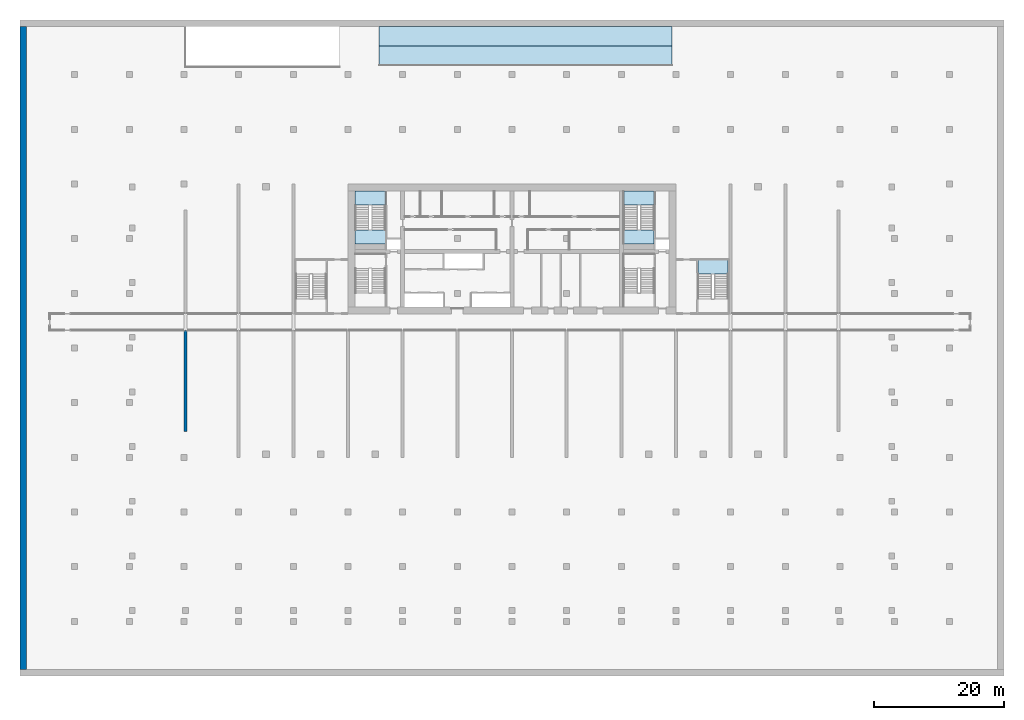
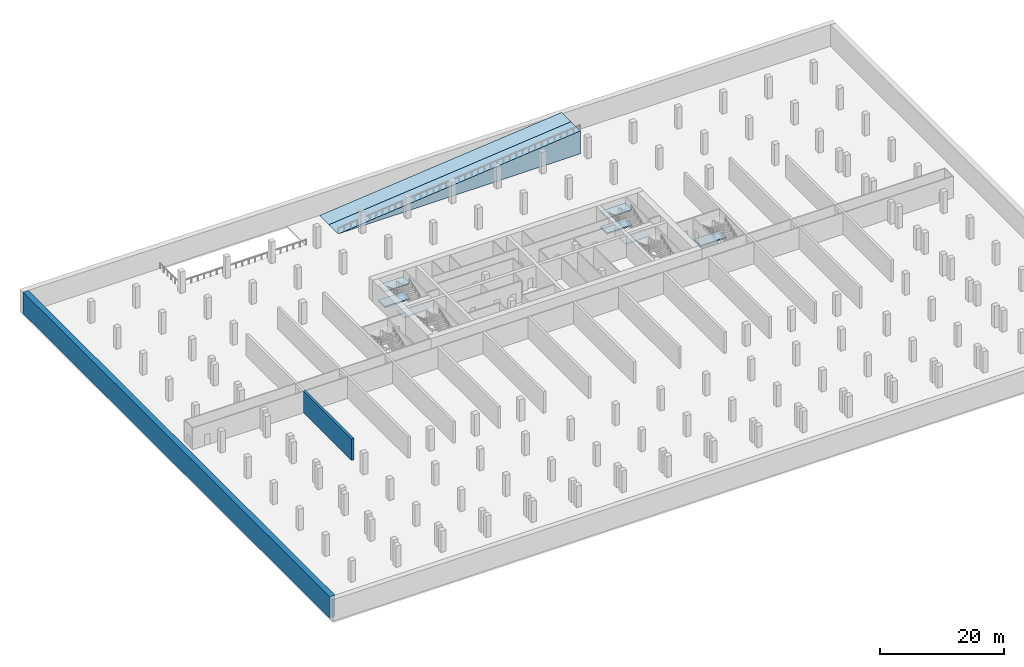
# One storey, part 2 of 13: 9 slabs, 2 walls, 2 elements without a shape of their own.
"""IFC4 building model written with IfcOpenShell, lengths in metres."""

from ifc_helpers import new_model, si_unit, direction, frame, frame_2d, origin, place, context, subcontext, project, spatial, polyline, rectangle, outline, extrude, source, transform, mapped, material, layer, layer_set, type_object, element, aggregate, save


model = new_model("IFC4")

# Units and contexts
model_context = context("Model", 3, precision=1e-05, world=origin(), true_north=direction((0.0, 1.0)))
body_context = subcontext(model_context, "Body", "Model", "MODEL_VIEW")
ifc_project = project(units=[si_unit("LENGTHUNIT", "METRE"), si_unit("AREAUNIT", "SQUARE_METRE"), si_unit("VOLUMEUNIT", "CUBIC_METRE"), si_unit("PLANEANGLEUNIT", "RADIAN"), si_unit("MASSUNIT", "GRAM", prefix="KILO")], contexts=[model_context])

# Site, building, storey
site_placement = place(None, origin())
site = spatial("IfcSite", under=ifc_project, at=site_placement, CompositionType="ELEMENT")
building_placement = place(site_placement, origin())
building = spatial("IfcBuilding", under=site, at=building_placement, Name="Vanashikhar Sky Hotel", CompositionType="ELEMENT")
storey_placement = place(building_placement, frame((0.0, 0.0, -9.0)))
storey = spatial("IfcBuildingStorey", under=building, at=storey_placement, Name="B2", CompositionType="ELEMENT", Elevation=-9.0)

# Slab
ifc_material_1 = material(Name="Concrete M40", Category="concrete")
ifc_layer_1 = layer(ifc_material_1, 0.280029296875)
ifc_layer_set_1 = layer_set([ifc_layer_1], Name="Stair floor landing 280")
slab_type_1 = type_object("IfcSlabType", Name="Stair floor landing 280", PredefinedType="LANDING", material=ifc_layer_set_1)
shared_shape_1 = source(origin(), body_context, "Body", "SweptSolid", [
    extrude(outline(polyline([(83.60009765625, 28.14990234375), (83.60009765625, 30.300048828125), (78.949951171875, 30.300048828125), (78.949951171875, 28.14990234375), (83.60009765625, 28.14990234375)])), origin(), (0.0, 0.0, 1.0), 0.280029296875),
])
slab_1_placement = place(storey_placement, frame((0.0, 0.0, -0.280029296875)))
element("IfcSlab", 1, at=slab_1_placement, inside=storey, type_object=slab_type_1, Name="Exit stair 4 floor landing", PredefinedType="LANDING", context=body_context, shape_type="MappedRepresentation", body=[
    mapped(shared_shape_1, transform((0.0, 0.0, 0.0), scale=1.0)),
])

# Stair, slabs
stair_type = type_object("IfcStairType", Name="Exit stair 2150", PredefinedType="DOUBLE_RETURN_STAIR", material=ifc_material_1)
stair_1_placement = place(storey_placement, origin())
stair_1 = element("IfcStair", 2, at=stair_1_placement, inside=storey, type_object=stair_type, Name="B2 Exit stair 5", PredefinedType="DOUBLE_RETURN_STAIR")
ifc_layer_2 = layer(ifc_material_1, 0.199951171875)
ifc_layer_set_2 = layer_set([ifc_layer_2], Name="Stair landing 200")
slab_type_2 = type_object("IfcSlabType", Name="Stair landing 200", PredefinedType="LANDING", material=ifc_layer_set_2)
shared_shape_2 = source(origin(), body_context, "Body", "SweptSolid", [
    extrude(outline(polyline([(30.949951171875, 38.75), (30.949951171875, 40.89990234375), (26.300048828125, 40.89990234375), (26.300048828125, 38.75), (30.949951171875, 38.75)])), origin(), (0.0, 0.0, 1.0), 0.199951171875),
])
slab_2_placement = place(storey_placement, frame((0.0, 0.0, 2.800048828125)))
slab_2 = element("IfcSlab", 3, at=slab_2_placement, type_object=slab_type_2, Name="ST-C3 landing 2", PredefinedType="LANDING", context=body_context, shape_type="MappedRepresentation", body=[
    mapped(shared_shape_2, transform((0.0, 0.0, 0.0), scale=1.0)),
])
shared_shape_3 = source(origin(), body_context, "Body", "SweptSolid", [
    extrude(outline(polyline([(30.949951171875, 32.800048828125), (30.949951171875, 34.949951171875), (26.300048828125, 34.949951171875), (26.300048828125, 32.800048828125), (30.949951171875, 32.800048828125)])), origin(), (0.0, 0.0, 1.0), 0.199951171875),
])
slab_3_placement = place(storey_placement, frame((0.0, 0.0, 1.300048828125)))
slab_3 = element("IfcSlab", 4, at=slab_3_placement, type_object=slab_type_2, Name="ST-C3 landing 1", PredefinedType="LANDING", context=body_context, shape_type="MappedRepresentation", body=[
    mapped(shared_shape_3, transform((0.0, 0.0, 0.0), scale=1.0)),
])
aggregate(stair_1, [slab_3, slab_2])

# Slab
shared_shape_4 = source(origin(), body_context, "Body", "SweptSolid", [
    extrude(outline(polyline([(30.949951171875, 38.75), (30.949951171875, 40.89990234375), (26.300048828125, 40.89990234375), (26.300048828125, 38.75), (30.949951171875, 38.75)])), origin(), (0.0, 0.0, 1.0), 0.280029296875),
])
slab_4_placement = place(storey_placement, frame((0.0, 0.0, -0.280029296875)))
element("IfcSlab", 5, at=slab_4_placement, inside=storey, type_object=slab_type_1, Name="Exit stair 5 floor landing", PredefinedType="LANDING", context=body_context, shape_type="MappedRepresentation", body=[
    mapped(shared_shape_4, transform((0.0, 0.0, 0.0), scale=1.0)),
])

# Stair, slabs
stair_2_placement = place(storey_placement, origin())
stair_2 = element("IfcStair", 6, at=stair_2_placement, inside=storey, type_object=stair_type, Name="B2 Exit stair 6", PredefinedType="DOUBLE_RETURN_STAIR")
shared_shape_5 = source(origin(), body_context, "Body", "SweptSolid", [
    extrude(outline(polyline([(72.25, 38.75), (72.25, 40.89990234375), (67.60009765625, 40.89990234375), (67.60009765625, 38.75), (72.25, 38.75)])), origin(), (0.0, 0.0, 1.0), 0.199951171875),
])
slab_5_placement = place(storey_placement, frame((0.0, 0.0, 2.800048828125)))
slab_5 = element("IfcSlab", 7, at=slab_5_placement, type_object=slab_type_2, Name="ST-C4 landing 2", PredefinedType="LANDING", context=body_context, shape_type="MappedRepresentation", body=[
    mapped(shared_shape_5, transform((0.0, 0.0, 0.0), scale=1.0)),
])
shared_shape_6 = source(origin(), body_context, "Body", "SweptSolid", [
    extrude(outline(polyline([(72.25, 32.800048828125), (72.25, 34.949951171875), (67.60009765625, 34.949951171875), (67.60009765625, 32.800048828125), (72.25, 32.800048828125)])), origin(), (0.0, 0.0, 1.0), 0.199951171875),
])
slab_6_placement = place(storey_placement, frame((0.0, 0.0, 1.300048828125)))
slab_6 = element("IfcSlab", 8, at=slab_6_placement, type_object=slab_type_2, Name="ST-C4 landing 1", PredefinedType="LANDING", context=body_context, shape_type="MappedRepresentation", body=[
    mapped(shared_shape_6, transform((0.0, 0.0, 0.0), scale=1.0)),
])
aggregate(stair_2, [slab_6, slab_5])

# Slabs
shared_shape_7 = source(origin(), body_context, "Body", "SweptSolid", [
    extrude(outline(polyline([(72.25, 38.75), (72.25, 40.89990234375), (67.60009765625, 40.89990234375), (67.60009765625, 38.75), (72.25, 38.75)])), origin(), (0.0, 0.0, 1.0), 0.280029296875),
])
slab_7_placement = place(storey_placement, frame((0.0, 0.0, -0.280029296875)))
element("IfcSlab", 9, at=slab_7_placement, inside=storey, type_object=slab_type_1, Name="Exit stair 6 floor landing", PredefinedType="LANDING", context=body_context, shape_type="MappedRepresentation", body=[
    mapped(shared_shape_7, transform((0.0, 0.0, 0.0), scale=1.0)),
])
ifc_material_2 = material(Name="Concrete M30", Category="concrete")
slab_type_3 = type_object("IfcSlabType", Name="Vehicle ramp flight on fill", PredefinedType="USERDEFINED", material=ifc_material_2)
shared_shape_8 = source(origin(), body_context, "Body", "SweptSolid", [
    extrude(outline(polyline([(0.0, 0.0), (45.0, 0.0), (45.0, 0.0), (0.0, 4.5), (0.0, 0.0)])), frame((0.0, 1.5, 0.0), z_axis=(0.0, -1.0, 0.0), x_axis=(1.0, 0.0, 0.0)), (0.0, 0.0, 1.0), 3.0),
])
for number, where, z_axis, x_axis, name in (
    (10, (75.0, 61.699951171875, 0.0), (0.0, 0.0, 1.0), (-1.0, 0.0, 0.0), "Entry vehicle ramp slab 2"),
    (11, (75.0, 64.699951171875, 0.0), (0.0, 0.0, 1.0), (-1.0, 0.0, 0.0), "Exit vehicle ramp slab 2"),
):
    element("IfcSlab", number, at=place(storey_placement, frame(where, z_axis=z_axis, x_axis=x_axis)), inside=storey, type_object=slab_type_3, Name=name, ObjectType="Ramp slab", PredefinedType="USERDEFINED", context=body_context, shape_type="MappedRepresentation", body=[
        mapped(shared_shape_8, transform((0.0, 0.0, 0.0), scale=1.0)),
    ])

# Walls
ifc_material_3 = material(Name="Concrete M50", Category="concrete")
ifc_layer_3 = layer(ifc_material_3, 1.0)
ifc_layer_set_3 = layer_set([ifc_layer_3], Name="RC retaining wall 1000 Concrete M50")
wall_type_1 = type_object("IfcWallType", Name="RC retaining wall 1000 Concrete M50", PredefinedType="SHEAR", material=ifc_layer_set_3)
shared_shape_9 = source(origin(), body_context, "Body", "SweptSolid", [
    extrude(rectangle(XDim=98.800048828125, YDim=1.0, at=frame_2d((49.39990234375, 0.0))), origin(), (0.0, 0.0, 1.0), 4.219970703125),
])
wall_1_placement = place(storey_placement, frame((-24.699951171875, -32.60009765625, 0.0), z_axis=(0.0, 0.0, 1.0), x_axis=(0.0, 1.0, 0.0)))
element("IfcWall", 12, at=wall_1_placement, inside=storey, type_object=wall_type_1, Name="RW-B2-W", PredefinedType="SHEAR", context=body_context, shape_type="MappedRepresentation", body=[
    mapped(shared_shape_9, transform((0.0, 0.0, 0.0), scale=1.0)),
])
ifc_material_4 = material(Name="Concrete M80", Category="concrete")
ifc_layer_4 = layer(ifc_material_4, 0.449951171875)
ifc_layer_set_4 = layer_set([ifc_layer_4], Name="RC shear wall 450 Concrete M80")
wall_type_2 = type_object("IfcWallType", Name="RC shear wall 450 Concrete M80", PredefinedType="SHEAR", material=ifc_layer_set_4)
shared_shape_10 = source(origin(), body_context, "Body", "SweptSolid", [
    extrude(rectangle(XDim=15.60009765625, YDim=0.449951171875, at=frame_2d((7.800048828125, 0.0))), origin(), (0.0, 0.0, 1.0), 4.219970703125),
])
wall_2_placement = place(storey_placement, frame((0.22509765625, 4.0, 0.0), z_axis=(0.0, 0.0, 1.0), x_axis=(0.0, 1.0, 0.0)))
element("IfcWall", 13, at=wall_2_placement, inside=storey, type_object=wall_type_2, Name="CW-B2-XW01-1", PredefinedType="SHEAR", context=body_context, shape_type="MappedRepresentation", body=[
    mapped(shared_shape_10, transform((0.0, 0.0, 0.0), scale=1.0)),
])

save(model, "model.ifc")
